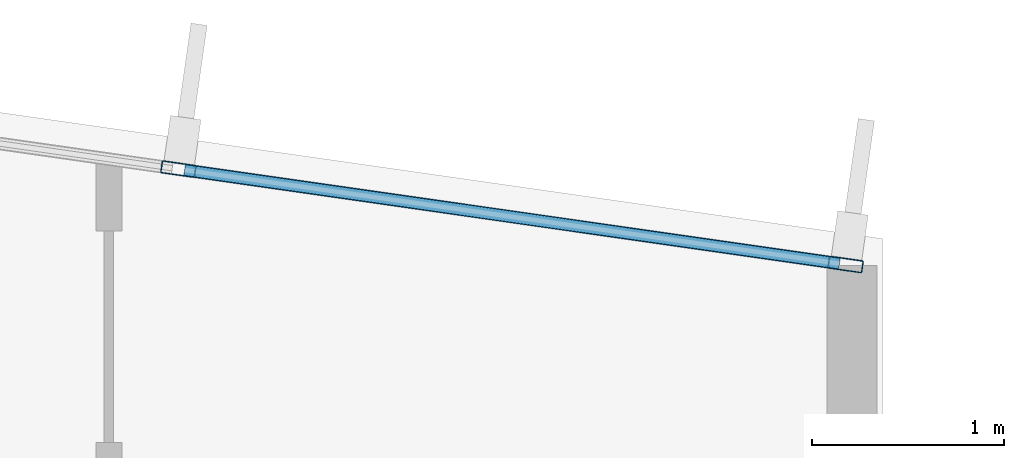
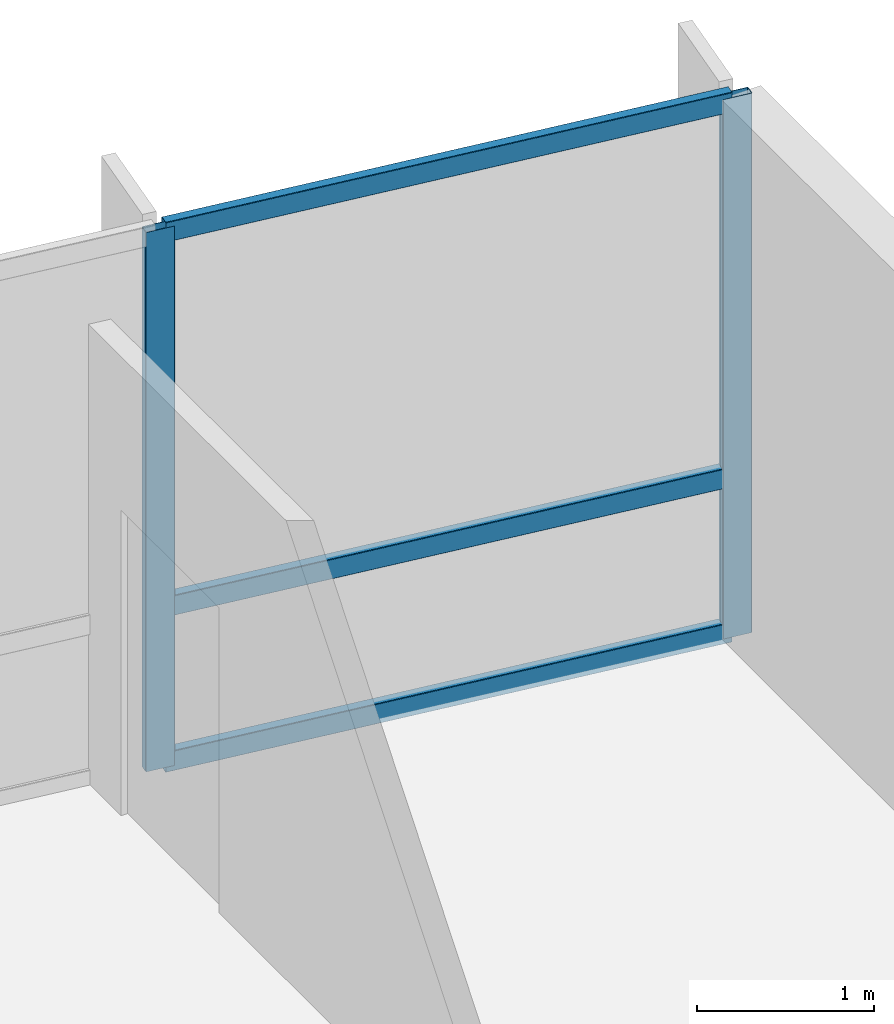
# One storey, part 8 of 16: 5 members, 1 element without a shape of its own.
"""IFC4 building model written with IfcOpenShell, lengths in metres."""

from ifc_helpers import new_model, si_unit, direction, frame, origin, origin_2d, place, context, subcontext, project, spatial, hollow_rectangle, extrude, material, layer, layer_set, material_profile, profile_set, type_object, element, aggregate, save


model = new_model("IFC4")

# Units and contexts
model_context = context("Model", 3, precision=1e-05, world=origin(), true_north=direction((0.0, 1.0)))
body_context = subcontext(model_context, "Body", "Model", "MODEL_VIEW")
ifc_project = project(units=[si_unit("LENGTHUNIT", "METRE"), si_unit("AREAUNIT", "SQUARE_METRE"), si_unit("VOLUMEUNIT", "CUBIC_METRE"), si_unit("PLANEANGLEUNIT", "RADIAN"), si_unit("MASSUNIT", "GRAM", prefix="KILO")], contexts=[model_context])

# Site, building, storey
site_placement = place(None, origin())
site = spatial("IfcSite", under=ifc_project, at=site_placement, CompositionType="ELEMENT")
building_placement = place(site_placement, origin())
building = spatial("IfcBuilding", under=site, at=building_placement, Name="Varnakote Quay Hospital", CompositionType="ELEMENT")
storey_placement = place(building_placement, frame((0.0, 0.0, 296.050048828125)))
storey = spatial("IfcBuildingStorey", under=building, at=storey_placement, Name="L73", CompositionType="ELEMENT", Elevation=296.050048828125)

# Curtain wall, members
ifc_material_1 = material(Name="Anodised aluminium 6063-T6 Bronze", Category="aluminium")
ifc_layer = layer(ifc_material_1, 0.235107421875)
ifc_layer_set = layer_set([ifc_layer], Name="Anodised aluminium 6063-T6 Bronze")
curtain_wall_type = type_object("IfcCurtainWallType", Name="CW-SYS-5", PredefinedType="NOTDEFINED", material=ifc_layer_set)
curtain_wall_placement = place(storey_placement, origin())
curtain_wall = element("IfcCurtainWall", 1, at=curtain_wall_placement, inside=storey, type_object=curtain_wall_type, Name="L73 Unitised Bronze Curtain Wall 1", PredefinedType="NOTDEFINED")
ifc_material_2 = material(Name="Anodised aluminium 6063-T6 Bronze", Category="aluminium")
ifc_material_profile_1 = material_profile(ifc_material_2, hollow_rectangle(XDim=0.06494140625, YDim=0.179931640625, WallThickness=0.00390625, InnerFilletRadius=0.00390625, OuterFilletRadius=0.008056640625, at=origin_2d()), Name="CW-MULL-180x65")
ifc_profile_set_1 = profile_set([ifc_material_profile_1], Name="Anodised aluminium 6063-T6 Bronze")
member_type_1 = type_object("IfcMemberType", Name="CW-MULL-180x65", PredefinedType="MULLION", material=ifc_profile_set_1)
member_1_placement = place(storey_placement, frame((37.90771484375, 27.666015625, 0.0), z_axis=(0.0, 0.0, 1.0), x_axis=(-0.141571876691, -0.989927979062, 0.0)))
member_1 = element("IfcMember", 2, at=member_1_placement, type_object=member_type_1, Name="-5-L73-1 mullion 1", PredefinedType="MULLION", context=body_context, shape_type="SweptSolid", body=[
    extrude(hollow_rectangle(XDim=0.06494140625, YDim=0.179931640625, WallThickness=0.00390625, InnerFilletRadius=0.00390625, OuterFilletRadius=0.008056640625, at=origin_2d()), origin(), (0.0, 0.0, 1.0), 3.7099609375),
])
member_2_placement = place(storey_placement, frame((34.441162109375, 28.16162109375, 0.0), z_axis=(0.0, 0.0, 1.0), x_axis=(-0.141571876691, -0.989927979062, 0.0)))
member_2 = element("IfcMember", 3, at=member_2_placement, type_object=member_type_1, Name="-5-L73-1 mullion 2", PredefinedType="MULLION", context=body_context, shape_type="SweptSolid", body=[
    extrude(hollow_rectangle(XDim=0.06494140625, YDim=0.179931640625, WallThickness=0.00390625, InnerFilletRadius=0.00390625, OuterFilletRadius=0.008056640625, at=origin_2d()), origin(), (0.0, 0.0, 1.0), 3.7099609375),
])
ifc_material_3 = material(Name="Anodised aluminium 6063-T6 Bronze", Category="aluminium")
ifc_material_profile_2 = material_profile(ifc_material_3, hollow_rectangle(XDim=0.06494140625, YDim=0.139892578125, WallThickness=0.00390625, InnerFilletRadius=0.00390625, OuterFilletRadius=0.007568359375, at=origin_2d()), Name="CW-TRAN-140x65")
ifc_profile_set_2 = profile_set([ifc_material_profile_2], Name="Anodised aluminium 6063-T6 Bronze")
member_type_2 = type_object("IfcMemberType", Name="CW-TRAN-140x65", PredefinedType="USERDEFINED", material=ifc_profile_set_2)
member_3_placement = place(storey_placement, frame((37.875732421875, 27.67041015625, 0.032470703125), z_axis=(-0.989928172258, 0.141570525783, 0.0), x_axis=(-0.141570525783, -0.989928172258, 0.0)))
member_3 = element("IfcMember", 4, at=member_3_placement, type_object=member_type_2, Name="-5-L73-1 transom 1.1", ObjectType="TRANSOM", PredefinedType="USERDEFINED", context=body_context, shape_type="SweptSolid", body=[
    extrude(hollow_rectangle(XDim=0.06494140625, YDim=0.139892578125, WallThickness=0.00390625, InnerFilletRadius=0.00390625, OuterFilletRadius=0.007568359375, at=origin_2d()), origin(), (0.0, 0.0, 1.0), 3.43701171875),
])
member_4_placement = place(storey_placement, frame((37.875732421875, 27.67041015625, 1.099853515625), z_axis=(-0.989928172258, 0.141570525783, 0.0), x_axis=(-0.141570525783, -0.989928172258, 0.0)))
member_4 = element("IfcMember", 5, at=member_4_placement, type_object=member_type_2, Name="-5-L73-1 transom 1.2", ObjectType="TRANSOM", PredefinedType="USERDEFINED", context=body_context, shape_type="SweptSolid", body=[
    extrude(hollow_rectangle(XDim=0.06494140625, YDim=0.139892578125, WallThickness=0.00390625, InnerFilletRadius=0.00390625, OuterFilletRadius=0.007568359375, at=origin_2d()), origin(), (0.0, 0.0, 1.0), 3.43701171875),
])
member_5_placement = place(storey_placement, frame((37.875732421875, 27.67041015625, 3.677490234375), z_axis=(-0.989928172258, 0.141570525783, 0.0), x_axis=(-0.141570525783, -0.989928172258, 0.0)))
member_5 = element("IfcMember", 6, at=member_5_placement, type_object=member_type_2, Name="-5-L73-1 transom 1.3", ObjectType="TRANSOM", PredefinedType="USERDEFINED", context=body_context, shape_type="SweptSolid", body=[
    extrude(hollow_rectangle(XDim=0.06494140625, YDim=0.139892578125, WallThickness=0.00390625, InnerFilletRadius=0.00390625, OuterFilletRadius=0.007568359375, at=origin_2d()), origin(), (0.0, 0.0, 1.0), 3.43701171875),
])
aggregate(curtain_wall, [member_1, member_2, member_3, member_4, member_5])

save(model, "model.ifc")
